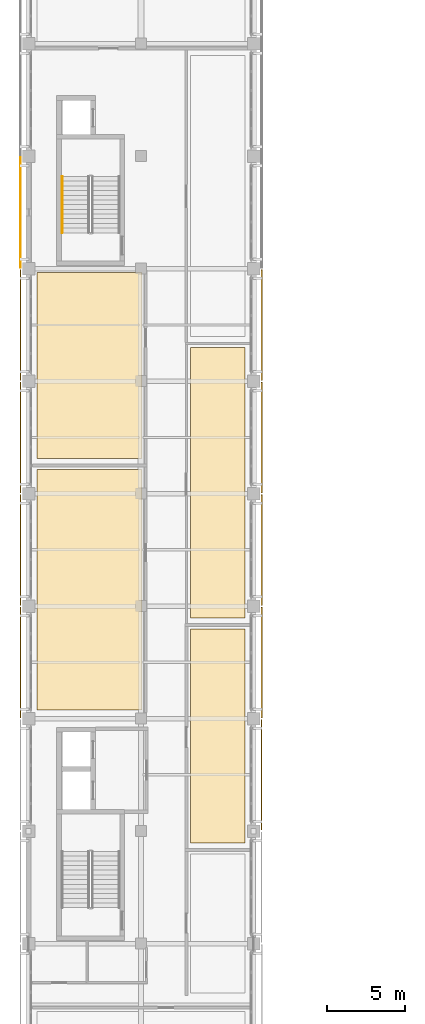
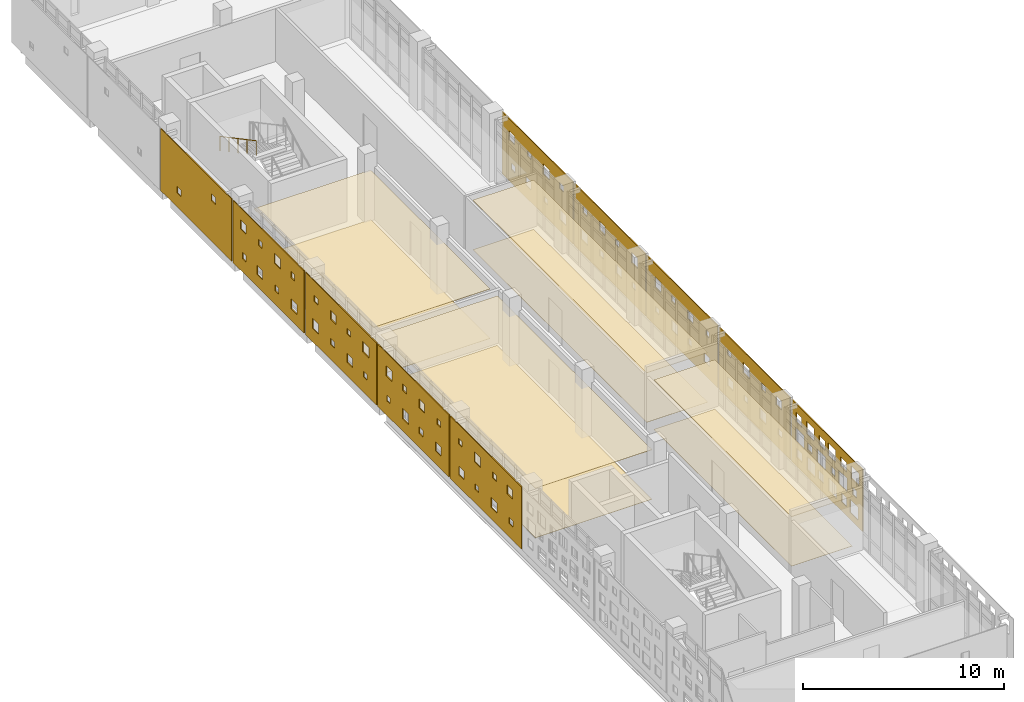
# One storey, part 31 of 33: 18 coverings, 1 railing.
"""IFC4 building model written with IfcOpenShell, lengths in metres."""

from ifc_helpers import new_model, si_unit, direction, frame, origin, origin_2d, place, context, subcontext, project, spatial, polyline, circle, outline, extrude, material, layer, layer_set, type_object, element, save


model = new_model("IFC4")

# Units and contexts
model_context = context("Model", 3, precision=1e-05, world=origin(), true_north=direction((0.0, 1.0)))
body_context = subcontext(model_context, "Body", "Model", "MODEL_VIEW")
ifc_project = project(units=[si_unit("LENGTHUNIT", "METRE"), si_unit("AREAUNIT", "SQUARE_METRE"), si_unit("VOLUMEUNIT", "CUBIC_METRE"), si_unit("PLANEANGLEUNIT", "RADIAN"), si_unit("MASSUNIT", "GRAM", prefix="KILO")], contexts=[model_context])

# Site, building, storey
site_placement = place(None, origin())
site = spatial("IfcSite", under=ifc_project, at=site_placement, CompositionType="ELEMENT")
building_placement = place(site_placement, origin())
building = spatial("IfcBuilding", under=site, at=building_placement, Name="Valkovuoma Quantum and Materials Research Institute", CompositionType="ELEMENT")
storey_placement = place(building_placement, frame((0.0, 0.0, 25.60009765625)))
storey = spatial("IfcBuildingStorey", under=building, at=storey_placement, Name="L06", CompositionType="ELEMENT", Elevation=25.60009765625)

# Coverings
ifc_material_1 = material(Name="Cleanable acoustic mineral-fibre suspended ceiling", Category="masonry")
ifc_layer_1 = layer(ifc_material_1, 0.02490234375)
ifc_layer_set_1 = layer_set([ifc_layer_1], Name="Cleanable acoustic mineral-fibre suspended ceiling")
covering_type_1 = type_object("IfcCoveringType", Name="Cov-CEIL-01", PredefinedType="CEILING", material=ifc_layer_set_1)
covering_1_placement = place(storey_placement, frame((0.0, 0.0, 3.0)))
element("IfcCovering", 1, at=covering_1_placement, inside=storey, type_object=covering_type_1, Name="L06 acoustic ceiling 0134", PredefinedType="CEILING", context=body_context, shape_type="SweptSolid", body=[
    extrude(outline(polyline([(0.550048828125, 43.75), (7.25, 43.75), (7.25, 59.14990234375), (0.550048828125, 59.14990234375), (0.550048828125, 43.75)])), origin(), (0.0, 0.0, 1.0), 0.02490234375),
])
covering_2_placement = place(storey_placement, frame((0.0, 0.0, 3.0)))
element("IfcCovering", 2, at=covering_2_placement, inside=storey, type_object=covering_type_1, Name="L06 acoustic ceiling 0135", PredefinedType="CEILING", context=body_context, shape_type="SweptSolid", body=[
    extrude(outline(polyline([(0.550048828125, 59.85009765625), (7.25, 59.85009765625), (7.25, 71.75), (0.550048828125, 71.75), (0.550048828125, 59.85009765625)])), origin(), (0.0, 0.0, 1.0), 0.02490234375),
])
covering_3_placement = place(storey_placement, frame((0.0, 0.0, 3.0)))
element("IfcCovering", 3, at=covering_3_placement, inside=storey, type_object=covering_type_1, Name="L06 acoustic ceiling 0138", PredefinedType="CEILING", context=body_context, shape_type="SweptSolid", body=[
    extrude(outline(polyline([(10.35009765625, 35.25), (13.85009765625, 35.25), (13.85009765625, 48.949951171875), (10.35009765625, 48.949951171875), (10.35009765625, 35.25)])), origin(), (0.0, 0.0, 1.0), 0.02490234375),
])
covering_4_placement = place(storey_placement, frame((0.0, 0.0, 3.0)))
element("IfcCovering", 4, at=covering_4_placement, inside=storey, type_object=covering_type_1, Name="L06 acoustic ceiling 0139", PredefinedType="CEILING", context=body_context, shape_type="SweptSolid", body=[
    extrude(outline(polyline([(10.35009765625, 49.64990234375), (13.85009765625, 49.64990234375), (13.85009765625, 66.949951171875), (10.35009765625, 66.949951171875), (10.35009765625, 49.64990234375)])), origin(), (0.0, 0.0, 1.0), 0.02490234375),
])
ifc_material_2 = material(Name="Seamless dissipative laboratory resin flooring", Category="masonry")
ifc_layer_2 = layer(ifc_material_2, 0.014892578125)
ifc_layer_set_2 = layer_set([ifc_layer_2], Name="Seamless dissipative laboratory resin flooring")
covering_type_2 = type_object("IfcCoveringType", Name="Cov-FLOR-01", PredefinedType="FLOORING", material=ifc_layer_set_2)
covering_5_placement = place(storey_placement, origin())
element("IfcCovering", 5, at=covering_5_placement, inside=storey, type_object=covering_type_2, Name="L06 resin flooring 0134", PredefinedType="FLOORING", context=body_context, shape_type="SweptSolid", body=[
    extrude(outline(polyline([(0.550048828125, 43.75), (7.25, 43.75), (7.25, 59.14990234375), (0.550048828125, 59.14990234375), (0.550048828125, 43.75)])), origin(), (0.0, 0.0, 1.0), 0.014892578125),
])
covering_6_placement = place(storey_placement, origin())
element("IfcCovering", 6, at=covering_6_placement, inside=storey, type_object=covering_type_2, Name="L06 resin flooring 0135", PredefinedType="FLOORING", context=body_context, shape_type="SweptSolid", body=[
    extrude(outline(polyline([(0.550048828125, 59.85009765625), (7.25, 59.85009765625), (7.25, 71.75), (0.550048828125, 71.75), (0.550048828125, 59.85009765625)])), origin(), (0.0, 0.0, 1.0), 0.014892578125),
])
covering_7_placement = place(storey_placement, origin())
element("IfcCovering", 7, at=covering_7_placement, inside=storey, type_object=covering_type_2, Name="L06 resin flooring 0138", PredefinedType="FLOORING", context=body_context, shape_type="SweptSolid", body=[
    extrude(outline(polyline([(10.35009765625, 35.25), (13.85009765625, 35.25), (13.85009765625, 48.949951171875), (10.35009765625, 48.949951171875), (10.35009765625, 35.25)])), origin(), (0.0, 0.0, 1.0), 0.014892578125),
])
covering_8_placement = place(storey_placement, origin())
element("IfcCovering", 8, at=covering_8_placement, inside=storey, type_object=covering_type_2, Name="L06 resin flooring 0139", PredefinedType="FLOORING", context=body_context, shape_type="SweptSolid", body=[
    extrude(outline(polyline([(10.35009765625, 49.64990234375), (13.85009765625, 49.64990234375), (13.85009765625, 66.949951171875), (10.35009765625, 66.949951171875), (10.35009765625, 49.64990234375)])), origin(), (0.0, 0.0, 1.0), 0.014892578125),
])
ifc_material_3 = material(Name="White powder-coated aluminium architectural panel", Category="aluminium")
ifc_layer_3 = layer(ifc_material_3, 0.054931640625)
ifc_layer_set_3 = layer_set([ifc_layer_3], Name="White powder-coated aluminium architectural panel")
covering_type_3 = type_object("IfcCoveringType", Name="Cov-PERF-DENSE", PredefinedType="CLADDING", material=ifc_layer_set_3)
covering_9_placement = place(storey_placement, frame((14.919921875, 36.06005859375, 0.02001953125), z_axis=(0.0, 0.0, 1.0), x_axis=(0.0, 1.0, 0.0)))
element("IfcCovering", 9, at=covering_9_placement, inside=storey, type_object=covering_type_3, Name="L06 graduated perforated white screen E-0081", PredefinedType="CLADDING", context=body_context, shape_type="SweptSolid", body=[
    extrude(outline(polyline([(0.0, 0.0), (7.079833984375, 0.0), (7.079833984375, 3.769775390625), (0.0, 3.769775390625), (0.0, 0.0)]), holes=[polyline([(0.458251953125, 0.425048828125), (0.458251953125, 1.22509765625), (1.25830078125, 1.22509765625), (1.25830078125, 0.425048828125), (0.458251953125, 0.425048828125)]), polyline([(0.58837890625, 1.675048828125), (0.58837890625, 2.094970703125), (1.00830078125, 2.094970703125), (1.00830078125, 1.675048828125), (0.58837890625, 1.675048828125)]), polyline([(0.3583984375, 2.56494140625), (0.3583984375, 3.324951171875), (1.118408203125, 3.324951171875), (1.118408203125, 2.56494140625), (0.3583984375, 2.56494140625)]), polyline([(1.56494140625, 0.554931640625), (1.56494140625, 1.094970703125), (2.10498046875, 1.094970703125), (2.10498046875, 0.554931640625), (1.56494140625, 0.554931640625)]), polyline([(1.534912109375, 1.465087890625), (1.534912109375, 2.304931640625), (2.375, 2.304931640625), (2.375, 1.465087890625), (1.534912109375, 1.465087890625)]), polyline([(1.60498046875, 2.655029296875), (1.60498046875, 3.235107421875), (2.18505859375, 3.235107421875), (2.18505859375, 2.655029296875), (1.60498046875, 2.655029296875)]), polyline([(2.591796875, 0.425048828125), (2.591796875, 1.22509765625), (3.3916015625, 1.22509765625), (3.3916015625, 0.425048828125), (2.591796875, 0.425048828125)]), polyline([(2.7216796875, 1.675048828125), (2.7216796875, 2.094970703125), (3.1416015625, 2.094970703125), (3.1416015625, 1.675048828125), (2.7216796875, 1.675048828125)]), polyline([(2.671630859375, 2.56494140625), (2.671630859375, 3.324951171875), (3.431640625, 3.324951171875), (3.431640625, 2.56494140625), (2.671630859375, 2.56494140625)]), polyline([(3.87841796875, 0.554931640625), (3.87841796875, 1.094970703125), (4.418212890625, 1.094970703125), (4.418212890625, 0.554931640625), (3.87841796875, 0.554931640625)]), polyline([(3.668212890625, 1.465087890625), (3.668212890625, 2.304931640625), (4.50830078125, 2.304931640625), (4.50830078125, 1.465087890625), (3.668212890625, 1.465087890625)]), polyline([(3.73828125, 2.655029296875), (3.73828125, 3.235107421875), (4.318359375, 3.235107421875), (4.318359375, 2.655029296875), (3.73828125, 2.655029296875)]), polyline([(4.72509765625, 0.425048828125), (4.72509765625, 1.22509765625), (5.52490234375, 1.22509765625), (5.52490234375, 0.425048828125), (4.72509765625, 0.425048828125)]), polyline([(5.034912109375, 1.675048828125), (5.034912109375, 2.094970703125), (5.455078125, 2.094970703125), (5.455078125, 1.675048828125), (5.034912109375, 1.675048828125)]), polyline([(4.804931640625, 2.56494140625), (4.804931640625, 3.324951171875), (5.56494140625, 3.324951171875), (5.56494140625, 2.56494140625), (4.804931640625, 2.56494140625)]), polyline([(6.01171875, 0.554931640625), (6.01171875, 1.094970703125), (6.5517578125, 1.094970703125), (6.5517578125, 0.554931640625), (6.01171875, 0.554931640625)]), polyline([(5.8017578125, 1.465087890625), (5.8017578125, 2.304931640625), (6.6416015625, 2.304931640625), (6.6416015625, 1.465087890625), (5.8017578125, 1.465087890625)]), polyline([(6.0517578125, 2.655029296875), (6.0517578125, 3.235107421875), (6.631591796875, 3.235107421875), (6.631591796875, 2.655029296875), (6.0517578125, 2.655029296875)])]), frame((0.0, 0.02734375, 0.0), z_axis=(0.0, -1.0, 0.0), x_axis=(1.0, 0.0, 0.0)), (0.0, 0.0, 1.0), 0.054931640625),
])
ifc_material_4 = material(Name="White powder-coated aluminium architectural panel", Category="aluminium")
ifc_layer_4 = layer(ifc_material_4, 0.054931640625)
ifc_layer_set_4 = layer_set([ifc_layer_4], Name="White powder-coated aluminium architectural panel")
covering_type_4 = type_object("IfcCoveringType", Name="Cov-PERF-MID", PredefinedType="CLADDING", material=ifc_layer_set_4)
for number, where, z_axis, x_axis, name in (
    (10, (-0.52001953125, 43.260009765625, 0.02001953125), (0.0, 0.0, 1.0), (0.0, 1.0, 0.0), "L06 graduated perforated white screen W-0082"),
    (11, (14.919921875, 43.260009765625, 0.02001953125), (0.0, 0.0, 1.0), (0.0, 1.0, 0.0), "L06 graduated perforated white screen E-0083"),
):
    element("IfcCovering", number, at=place(storey_placement, frame(where, z_axis=z_axis, x_axis=x_axis)), inside=storey, type_object=covering_type_4, Name=name, PredefinedType="CLADDING", context=body_context, shape_type="SweptSolid", body=[
        extrude(outline(polyline([(0.0, 0.0), (7.080078125, 0.0), (7.080078125, 3.769775390625), (0.0, 3.769775390625), (0.0, 0.0)]), holes=[polyline([(0.822509765625, 0.8125), (0.822509765625, 1.1923828125), (1.202392578125, 1.1923828125), (1.202392578125, 0.8125), (0.822509765625, 0.8125)]), polyline([(0.862548828125, 2.49755859375), (0.862548828125, 3.03759765625), (1.402587890625, 3.03759765625), (1.402587890625, 2.49755859375), (0.862548828125, 2.49755859375)]), polyline([(2.407470703125, 0.6923828125), (2.407470703125, 1.3125), (3.027587890625, 1.3125), (3.027587890625, 0.6923828125), (2.407470703125, 0.6923828125)]), polyline([(2.467529296875, 2.577392578125), (2.467529296875, 2.95751953125), (2.847412109375, 2.95751953125), (2.847412109375, 2.577392578125), (2.467529296875, 2.577392578125)]), polyline([(4.25244140625, 0.83251953125), (4.25244140625, 1.172607421875), (4.592529296875, 1.172607421875), (4.592529296875, 0.83251953125), (4.25244140625, 0.83251953125)]), polyline([(4.052490234375, 2.45751953125), (4.052490234375, 3.077392578125), (4.672607421875, 3.077392578125), (4.672607421875, 2.45751953125), (4.052490234375, 2.45751953125)]), polyline([(5.677490234375, 0.732421875), (5.677490234375, 1.2724609375), (6.217529296875, 1.2724609375), (6.217529296875, 0.732421875), (5.677490234375, 0.732421875)]), polyline([(5.8974609375, 2.597412109375), (5.8974609375, 2.9375), (6.237548828125, 2.9375), (6.237548828125, 2.597412109375), (5.8974609375, 2.597412109375)])]), frame((0.0, 0.02734375, 0.0), z_axis=(0.0, -1.0, 0.0), x_axis=(1.0, 0.0, 0.0)), (0.0, 0.0, 1.0), 0.054931640625),
    ])
for number, where, z_axis, x_axis, name in (
    (12, (-0.52001953125, 50.4599609375, 0.02001953125), (0.0, 0.0, 1.0), (0.0, 1.0, 0.0), "L06 graduated perforated white screen W-0084"),
    (13, (14.919921875, 50.4599609375, 0.02001953125), (0.0, 0.0, 1.0), (0.0, 1.0, 0.0), "L06 graduated perforated white screen E-0085"),
):
    element("IfcCovering", number, at=place(storey_placement, frame(where, z_axis=z_axis, x_axis=x_axis)), inside=storey, type_object=covering_type_4, Name=name, PredefinedType="CLADDING", context=body_context, shape_type="SweptSolid", body=[
        extrude(outline(polyline([(0.0, 0.0), (7.080078125, 0.0), (7.080078125, 3.769775390625), (0.0, 3.769775390625), (0.0, 0.0)]), holes=[polyline([(0.802490234375, 0.782470703125), (0.802490234375, 1.322509765625), (1.342529296875, 1.322509765625), (1.342529296875, 0.782470703125), (0.802490234375, 0.782470703125)]), polyline([(0.842529296875, 2.49755859375), (0.842529296875, 2.83740234375), (1.1826171875, 2.83740234375), (1.1826171875, 2.49755859375), (0.842529296875, 2.49755859375)]), polyline([(2.58740234375, 0.862548828125), (2.58740234375, 1.242431640625), (2.967529296875, 1.242431640625), (2.967529296875, 0.862548828125), (2.58740234375, 0.862548828125)]), polyline([(2.447509765625, 2.3974609375), (2.447509765625, 2.9375), (2.987548828125, 2.9375), (2.987548828125, 2.3974609375), (2.447509765625, 2.3974609375)]), polyline([(3.992431640625, 0.742431640625), (3.992431640625, 1.362548828125), (4.612548828125, 1.362548828125), (4.612548828125, 0.742431640625), (3.992431640625, 0.742431640625)]), polyline([(4.232421875, 2.4775390625), (4.232421875, 2.857421875), (4.612548828125, 2.857421875), (4.612548828125, 2.4775390625), (4.232421875, 2.4775390625)]), polyline([(5.83740234375, 0.882568359375), (5.83740234375, 1.222412109375), (6.177490234375, 1.222412109375), (6.177490234375, 0.882568359375), (5.83740234375, 0.882568359375)]), polyline([(5.637451171875, 2.357421875), (5.637451171875, 2.9775390625), (6.257568359375, 2.9775390625), (6.257568359375, 2.357421875), (5.637451171875, 2.357421875)])]), frame((0.0, 0.02734375, 0.0), z_axis=(0.0, -1.0, 0.0), x_axis=(1.0, 0.0, 0.0)), (0.0, 0.0, 1.0), 0.054931640625),
    ])
for number, where, z_axis, x_axis, name in (
    (14, (-0.52001953125, 57.659912109375, 0.02001953125), (0.0, 0.0, 1.0), (0.0, 1.0, 0.0), "L06 graduated perforated white screen W-0086"),
    (15, (14.919921875, 57.659912109375, 0.02001953125), (0.0, 0.0, 1.0), (0.0, 1.0, 0.0), "L06 graduated perforated white screen E-0087"),
):
    element("IfcCovering", number, at=place(storey_placement, frame(where, z_axis=z_axis, x_axis=x_axis)), inside=storey, type_object=covering_type_4, Name=name, PredefinedType="CLADDING", context=body_context, shape_type="SweptSolid", body=[
        extrude(outline(polyline([(0.0, 0.0), (7.080078125, 0.0), (7.080078125, 3.769775390625), (0.0, 3.769775390625), (0.0, 0.0)]), holes=[polyline([(0.96240234375, 0.9326171875), (0.96240234375, 1.2724609375), (1.302490234375, 1.2724609375), (1.302490234375, 0.9326171875), (0.96240234375, 0.9326171875)]), polyline([(0.762451171875, 2.407470703125), (0.762451171875, 3.027587890625), (1.382568359375, 3.027587890625), (1.382568359375, 2.407470703125), (0.762451171875, 2.407470703125)]), polyline([(2.387451171875, 0.83251953125), (2.387451171875, 1.37255859375), (2.927490234375, 1.37255859375), (2.927490234375, 0.83251953125), (2.387451171875, 0.83251953125)]), polyline([(2.607421875, 2.547607421875), (2.607421875, 2.887451171875), (2.947509765625, 2.887451171875), (2.947509765625, 2.547607421875), (2.607421875, 2.547607421875)]), polyline([(4.172607421875, 0.91259765625), (4.172607421875, 1.29248046875), (4.552490234375, 1.29248046875), (4.552490234375, 0.91259765625), (4.172607421875, 0.91259765625)]), polyline([(4.032470703125, 2.447509765625), (4.032470703125, 2.987548828125), (4.572509765625, 2.987548828125), (4.572509765625, 2.447509765625), (4.032470703125, 2.447509765625)]), polyline([(5.757568359375, 0.79248046875), (5.757568359375, 1.41259765625), (6.37744140625, 1.41259765625), (6.37744140625, 0.79248046875), (5.757568359375, 0.79248046875)]), polyline([(5.8173828125, 2.527587890625), (5.8173828125, 2.907470703125), (6.197509765625, 2.907470703125), (6.197509765625, 2.527587890625), (5.8173828125, 2.527587890625)])]), frame((0.0, 0.02734375, 0.0), z_axis=(0.0, -1.0, 0.0), x_axis=(1.0, 0.0, 0.0)), (0.0, 0.0, 1.0), 0.054931640625),
    ])
for number, where, z_axis, x_axis, name in (
    (16, (-0.52001953125, 64.860107421875, 0.02001953125), (0.0, 0.0, 1.0), (0.0, 1.0, 0.0), "L06 graduated perforated white screen W-0088"),
    (17, (14.919921875, 64.860107421875, 0.02001953125), (0.0, 0.0, 1.0), (0.0, 1.0, 0.0), "L06 graduated perforated white screen E-0089"),
):
    element("IfcCovering", number, at=place(storey_placement, frame(where, z_axis=z_axis, x_axis=x_axis)), inside=storey, type_object=covering_type_4, Name=name, PredefinedType="CLADDING", context=body_context, shape_type="SweptSolid", body=[
        extrude(outline(polyline([(0.0, 0.0), (7.079833984375, 0.0), (7.079833984375, 3.769775390625), (0.0, 3.769775390625), (0.0, 0.0)]), holes=[polyline([(0.702392578125, 0.6923828125), (0.702392578125, 1.3125), (1.322509765625, 1.3125), (1.322509765625, 0.6923828125), (0.702392578125, 0.6923828125)]), polyline([(0.9423828125, 2.577392578125), (0.9423828125, 2.95751953125), (1.322509765625, 2.95751953125), (1.322509765625, 2.577392578125), (0.9423828125, 2.577392578125)]), polyline([(2.547607421875, 0.83251953125), (2.547607421875, 1.172607421875), (2.887451171875, 1.172607421875), (2.887451171875, 0.83251953125), (2.547607421875, 0.83251953125)]), polyline([(2.347412109375, 2.45751953125), (2.347412109375, 3.077392578125), (2.967529296875, 3.077392578125), (2.967529296875, 2.45751953125), (2.347412109375, 2.45751953125)]), polyline([(4.152587890625, 0.732421875), (4.152587890625, 1.2724609375), (4.6923828125, 1.2724609375), (4.6923828125, 0.732421875), (4.152587890625, 0.732421875)]), polyline([(4.1923828125, 2.597412109375), (4.1923828125, 2.9375), (4.532470703125, 2.9375), (4.532470703125, 2.597412109375), (4.1923828125, 2.597412109375)]), polyline([(5.757568359375, 0.8125), (5.757568359375, 1.1923828125), (6.137451171875, 1.1923828125), (6.137451171875, 0.8125), (5.757568359375, 0.8125)]), polyline([(5.797607421875, 2.49755859375), (5.797607421875, 3.03759765625), (6.33740234375, 3.03759765625), (6.33740234375, 2.49755859375), (5.797607421875, 2.49755859375)])]), frame((0.0, 0.02734375, 0.0), z_axis=(0.0, -1.0, 0.0), x_axis=(1.0, 0.0, 0.0)), (0.0, 0.0, 1.0), 0.054931640625),
    ])
ifc_material_5 = material(Name="White powder-coated aluminium architectural panel", Category="aluminium")
ifc_layer_5 = layer(ifc_material_5, 0.054931640625)
ifc_layer_set_5 = layer_set([ifc_layer_5], Name="White powder-coated aluminium architectural panel")
covering_type_5 = type_object("IfcCoveringType", Name="Cov-PERF-SPARSE", PredefinedType="CLADDING", material=ifc_layer_set_5)
covering_10_placement = place(storey_placement, frame((-0.52001953125, 72.06005859375, 0.02001953125), z_axis=(0.0, 0.0, 1.0), x_axis=(0.0, 1.0, 0.0)))
element("IfcCovering", 18, at=covering_10_placement, inside=storey, type_object=covering_type_5, Name="L06 graduated perforated white screen W-0090", PredefinedType="CLADDING", context=body_context, shape_type="SweptSolid", body=[
    extrude(outline(polyline([(0.0, 0.0), (7.079833984375, 0.0), (7.079833984375, 3.769775390625), (0.0, 3.769775390625), (0.0, 0.0)]), holes=[polyline([(1.635009765625, 2.467529296875), (1.635009765625, 2.867431640625), (2.034912109375, 2.867431640625), (2.034912109375, 2.467529296875), (1.635009765625, 2.467529296875)]), polyline([(5.044921875, 0.8525390625), (5.044921875, 1.25244140625), (5.445068359375, 1.25244140625), (5.445068359375, 0.8525390625), (5.044921875, 0.8525390625)])]), frame((0.0, 0.02734375, 0.0), z_axis=(0.0, -1.0, 0.0), x_axis=(1.0, 0.0, 0.0)), (0.0, 0.0, 1.0), 0.054931640625),
])

# Railing
ifc_material_6 = material(Name="Brushed stainless steel handrail", Category="steel")
railing_type = type_object("IfcRailingType", Name="Rail-HR-ST", PredefinedType="HANDRAIL", material=ifc_material_6)
railing_placement = place(storey_placement, frame((2.14990234375, 77.89990234375, 2.239990234375)))
element("IfcRailing", 19, at=railing_placement, inside=storey, type_object=railing_type, Name="L06 ST-2 stair handrail 2", PredefinedType="HANDRAIL", context=body_context, shape_type="SweptSolid", body=[
    extrude(circle(Radius=0.02392578125, at=origin_2d()), frame((0.0, 0.0, 0.8759765625), z_axis=(0.0, -0.882352941176, 0.470588235294), x_axis=(1.0, 0.0, 0.0)), (0.0, 0.0, 1.0), 4.079833984375),
    extrude(circle(Radius=0.02099609375, at=origin_2d()), origin(), (0.0, 0.0, 1.0), 0.851806640625),
    extrude(circle(Radius=0.02099609375, at=origin_2d()), frame((0.0, -0.89990234375, 0.47998046875)), (0.0, 0.0, 1.0), 0.851806640625),
    extrude(circle(Radius=0.02099609375, at=origin_2d()), frame((0.0, -1.7998046875, 0.9599609375)), (0.0, 0.0, 1.0), 0.851806640625),
    extrude(circle(Radius=0.02099609375, at=origin_2d()), frame((0.0, -2.699951171875, 1.43994140625)), (0.0, 0.0, 1.0), 0.851806640625),
    extrude(circle(Radius=0.02099609375, at=origin_2d()), frame((0.0, -3.599853515625, 1.919921875)), (0.0, 0.0, 1.0), 0.851806640625),
])

save(model, "model.ifc")
